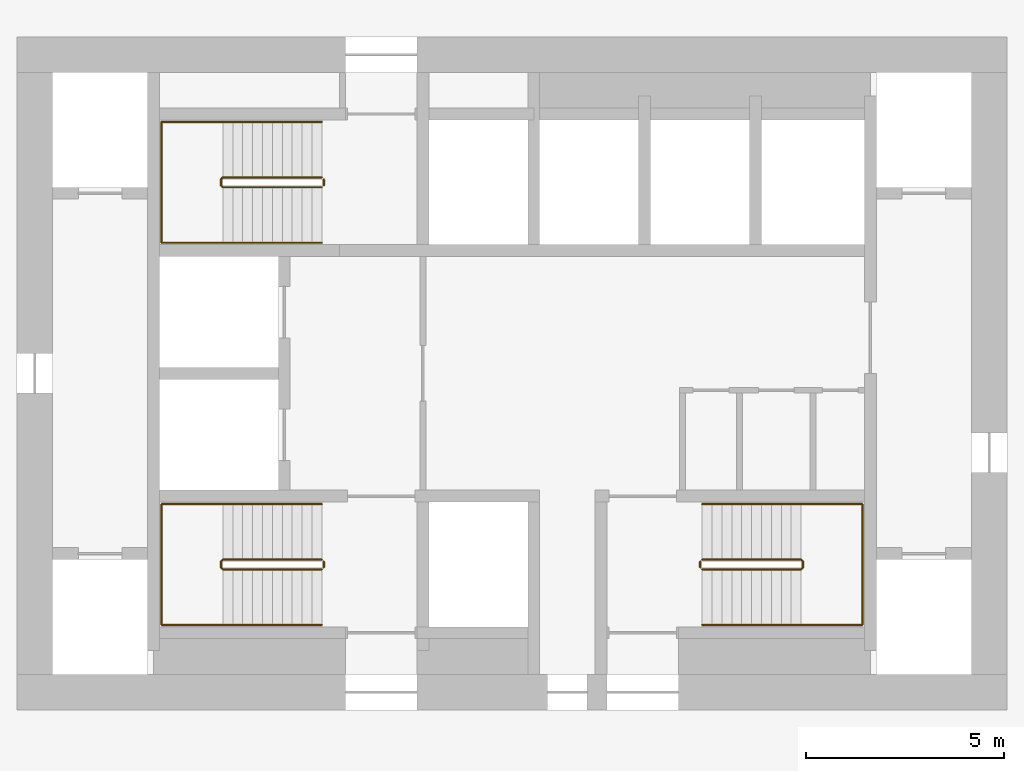
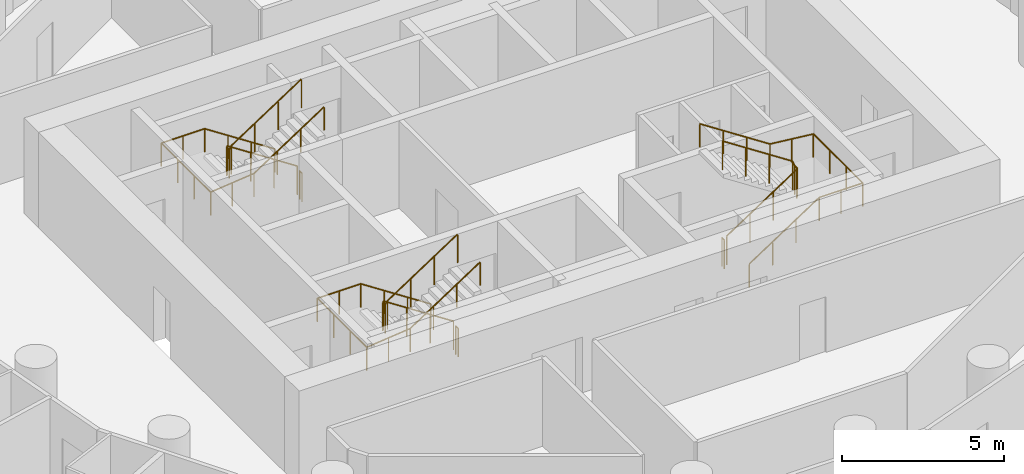
# One storey, part 9 of 9: 9 railings.
"""IFC4 building model written with IfcOpenShell, lengths in metres."""

from ifc_helpers import new_model, si_unit, direction, frame, origin, origin_2d, place, context, subcontext, project, spatial, circle, extrude, material, type_object, element, save


model = new_model("IFC4")

# Units and contexts
model_context = context("Model", 3, precision=1e-05, world=origin(), true_north=direction((0.0, 1.0)))
body_context = subcontext(model_context, "Body", "Model", "MODEL_VIEW")
ifc_project = project(units=[si_unit("LENGTHUNIT", "METRE"), si_unit("AREAUNIT", "SQUARE_METRE"), si_unit("VOLUMEUNIT", "CUBIC_METRE"), si_unit("PLANEANGLEUNIT", "RADIAN"), si_unit("MASSUNIT", "GRAM", prefix="KILO")], contexts=[model_context])

# Site, building, storey
site_placement = place(None, origin())
site = spatial("IfcSite", under=ifc_project, at=site_placement, CompositionType="ELEMENT")
building_placement = place(site_placement, origin())
building = spatial("IfcBuilding", under=site, at=building_placement, Name="Tracery Tower", CompositionType="ELEMENT")
storey_placement = place(building_placement, frame((0.0, 0.0, 198.0)))
storey = spatial("IfcBuildingStorey", under=building, at=storey_placement, Name="L51", CompositionType="ELEMENT", Elevation=198.0)

# Railings
ifc_material_1 = material(Name="Stainless steel and laminated glass", Category="steel")
railing_type_1 = type_object("IfcRailingType", Name="Stair guard 1100", PredefinedType="GUARDRAIL", material=ifc_material_1)
railing_1_placement = place(storey_placement, frame((-4.800048828125, -4.699951171875, 0.16357421875)))
element("IfcRailing", 1, at=railing_1_placement, inside=storey, type_object=railing_type_1, Name="L51 stair ST1 guard 1", PredefinedType="GUARDRAIL", context=body_context, shape_type="SweptSolid", body=[
    extrude(circle(Radius=0.02392578125, at=origin_2d()), frame((0.0, 0.0, 1.076171875), z_axis=(-0.83668449804, 0.0, 0.54768517484), x_axis=(0.0, -1.0, 0.0)), (0.0, 0.0, 1.0), 2.988037109375),
    extrude(circle(Radius=0.02392578125, at=origin_2d()), frame((-2.5, 0.0, 2.71240234375), z_axis=(-0.707106781187, -0.707106781187, 0.0), x_axis=(0.707106781187, -0.707106781187, 0.0)), (0.0, 0.0, 1.0), 0.07080078125),
    extrude(circle(Radius=0.02392578125, at=origin_2d()), frame((-2.550048828125, -0.050048828125, 2.71240234375), z_axis=(0.0, -1.0, 0.0), x_axis=(1.0, 0.0, 0.0)), (0.0, 0.0, 1.0), 0.14990234375),
    extrude(circle(Radius=0.02392578125, at=origin_2d()), frame((-2.550048828125, -0.199951171875, 2.71240234375), z_axis=(0.280808744504, -0.280808744504, 0.917765164963), x_axis=(0.707106781187, 0.707106781187, 0.0)), (0.0, 0.0, 1.0), 0.17822265625),
    extrude(circle(Radius=0.02392578125, at=origin_2d()), frame((-2.5, -0.25, 2.8759765625), z_axis=(0.83668449804, 0.0, 0.54768517484), x_axis=(0.0, 1.0, 0.0)), (0.0, 0.0, 1.0), 2.988037109375),
    extrude(circle(Radius=0.02099609375, at=origin_2d()), origin(), (0.0, 0.0, 1.0), 1.052001953125),
    extrude(circle(Radius=0.02099609375, at=origin_2d()), frame((-0.833251953125, 0.0, 0.54541015625)), (0.0, 0.0, 1.0), 1.052001953125),
    extrude(circle(Radius=0.02099609375, at=origin_2d()), frame((-1.666748046875, 0.0, 1.091064453125)), (0.0, 0.0, 1.0), 1.052001953125),
    extrude(circle(Radius=0.02099609375, at=origin_2d()), frame((-2.5, 0.0, 1.636474609375)), (0.0, 0.0, 1.0), 1.052001953125),
    extrude(circle(Radius=0.02099609375, at=origin_2d()), frame((-2.550048828125, -0.050048828125, 1.636474609375)), (0.0, 0.0, 1.0), 1.052001953125),
    extrude(circle(Radius=0.02099609375, at=origin_2d()), frame((-2.550048828125, -0.199951171875, 1.636474609375)), (0.0, 0.0, 1.0), 1.052001953125),
    extrude(circle(Radius=0.02099609375, at=origin_2d()), frame((-2.5, -0.25, 1.800048828125)), (0.0, 0.0, 1.0), 1.052001953125),
    extrude(circle(Radius=0.02099609375, at=origin_2d()), frame((-1.666748046875, -0.25, 2.345458984375)), (0.0, 0.0, 1.0), 1.052001953125),
    extrude(circle(Radius=0.02099609375, at=origin_2d()), frame((-0.833251953125, -0.25, 2.89111328125)), (0.0, 0.0, 1.0), 1.052001953125),
    extrude(circle(Radius=0.02099609375, at=origin_2d()), frame((0.0, -0.25, 3.4365234375)), (0.0, 0.0, 1.0), 1.052001953125),
])
railing_2_placement = place(storey_placement, frame((-4.75, -4.75, 0.0)))
element("IfcRailing", 2, at=railing_2_placement, inside=storey, type_object=railing_type_1, Name="L51 stair ST1 guard 2", PredefinedType="GUARDRAIL", context=body_context, shape_type="SweptSolid", body=[
    extrude(circle(Radius=0.02392578125, at=origin_2d()), frame((0.0, 0.0, 1.076171875), z_axis=(0.0, -1.0, 0.0), x_axis=(1.0, 0.0, 0.0)), (0.0, 0.0, 1.0), 0.14990234375),
    extrude(circle(Radius=0.02099609375, at=origin_2d()), origin(), (0.0, 0.0, 1.0), 1.052001953125),
    extrude(circle(Radius=0.02099609375, at=origin_2d()), frame((0.0, -0.14990234375, 0.0)), (0.0, 0.0, 1.0), 1.052001953125),
])
railing_3_placement = place(storey_placement, frame((-4.800048828125, 4.949951171875, 0.16357421875)))
element("IfcRailing", 3, at=railing_3_placement, inside=storey, type_object=railing_type_1, Name="L51 stair ST3 guard 1", PredefinedType="GUARDRAIL", context=body_context, shape_type="SweptSolid", body=[
    extrude(circle(Radius=0.02392578125, at=origin_2d()), frame((0.0, 0.0, 1.076171875), z_axis=(-0.83668449804, 0.0, 0.54768517484), x_axis=(0.0, -1.0, 0.0)), (0.0, 0.0, 1.0), 2.988037109375),
    extrude(circle(Radius=0.02392578125, at=origin_2d()), frame((-2.5, 0.0, 2.71240234375), z_axis=(-0.707106781187, -0.707106781187, 0.0), x_axis=(0.707106781187, -0.707106781187, 0.0)), (0.0, 0.0, 1.0), 0.07080078125),
    extrude(circle(Radius=0.02392578125, at=origin_2d()), frame((-2.550048828125, -0.050048828125, 2.71240234375), z_axis=(0.0, -1.0, 0.0), x_axis=(1.0, 0.0, 0.0)), (0.0, 0.0, 1.0), 0.14990234375),
    extrude(circle(Radius=0.02392578125, at=origin_2d()), frame((-2.550048828125, -0.199951171875, 2.71240234375), z_axis=(0.280808744504, -0.280808744504, 0.917765164963), x_axis=(0.707106781187, 0.707106781187, 0.0)), (0.0, 0.0, 1.0), 0.17822265625),
    extrude(circle(Radius=0.02392578125, at=origin_2d()), frame((-2.5, -0.25, 2.8759765625), z_axis=(0.83668449804, 0.0, 0.54768517484), x_axis=(0.0, 1.0, 0.0)), (0.0, 0.0, 1.0), 2.988037109375),
    extrude(circle(Radius=0.02099609375, at=origin_2d()), origin(), (0.0, 0.0, 1.0), 1.052001953125),
    extrude(circle(Radius=0.02099609375, at=origin_2d()), frame((-0.833251953125, 0.0, 0.54541015625)), (0.0, 0.0, 1.0), 1.052001953125),
    extrude(circle(Radius=0.02099609375, at=origin_2d()), frame((-1.666748046875, 0.0, 1.091064453125)), (0.0, 0.0, 1.0), 1.052001953125),
    extrude(circle(Radius=0.02099609375, at=origin_2d()), frame((-2.5, 0.0, 1.636474609375)), (0.0, 0.0, 1.0), 1.052001953125),
    extrude(circle(Radius=0.02099609375, at=origin_2d()), frame((-2.550048828125, -0.050048828125, 1.636474609375)), (0.0, 0.0, 1.0), 1.052001953125),
    extrude(circle(Radius=0.02099609375, at=origin_2d()), frame((-2.550048828125, -0.199951171875, 1.636474609375)), (0.0, 0.0, 1.0), 1.052001953125),
    extrude(circle(Radius=0.02099609375, at=origin_2d()), frame((-2.5, -0.25, 1.800048828125)), (0.0, 0.0, 1.0), 1.052001953125),
    extrude(circle(Radius=0.02099609375, at=origin_2d()), frame((-1.666748046875, -0.25, 2.345458984375)), (0.0, 0.0, 1.0), 1.052001953125),
    extrude(circle(Radius=0.02099609375, at=origin_2d()), frame((-0.833251953125, -0.25, 2.89111328125)), (0.0, 0.0, 1.0), 1.052001953125),
    extrude(circle(Radius=0.02099609375, at=origin_2d()), frame((0.0, -0.25, 3.4365234375)), (0.0, 0.0, 1.0), 1.052001953125),
])
railing_4_placement = place(storey_placement, frame((-4.75, 4.89990234375, 0.0)))
element("IfcRailing", 4, at=railing_4_placement, inside=storey, type_object=railing_type_1, Name="L51 stair ST3 guard 2", PredefinedType="GUARDRAIL", context=body_context, shape_type="SweptSolid", body=[
    extrude(circle(Radius=0.02392578125, at=origin_2d()), frame((0.0, 0.0, 1.076171875), z_axis=(0.0, -1.0, 0.0), x_axis=(1.0, 0.0, 0.0)), (0.0, 0.0, 1.0), 0.14990234375),
    extrude(circle(Radius=0.02099609375, at=origin_2d()), origin(), (0.0, 0.0, 1.0), 1.052001953125),
    extrude(circle(Radius=0.02099609375, at=origin_2d()), frame((0.0, -0.14990234375, 0.0)), (0.0, 0.0, 1.0), 1.052001953125),
])
railing_5_placement = place(storey_placement, frame((4.800048828125, -4.949951171875, 0.16357421875)))
element("IfcRailing", 5, at=railing_5_placement, inside=storey, type_object=railing_type_1, Name="L51 stair ST2 guard 1", PredefinedType="GUARDRAIL", context=body_context, shape_type="SweptSolid", body=[
    extrude(circle(Radius=0.02392578125, at=origin_2d()), frame((0.0, 0.0, 1.076171875), z_axis=(0.83668449804, 0.0, 0.54768517484), x_axis=(0.0, 1.0, 0.0)), (0.0, 0.0, 1.0), 2.988037109375),
    extrude(circle(Radius=0.02392578125, at=origin_2d()), frame((2.5, 0.0, 2.71240234375), z_axis=(0.707106781187, 0.707106781187, 0.0), x_axis=(-0.707106781187, 0.707106781187, 0.0)), (0.0, 0.0, 1.0), 0.07080078125),
    extrude(circle(Radius=0.02392578125, at=origin_2d()), frame((2.550048828125, 0.050048828125, 2.71240234375), z_axis=(0.0, 1.0, 0.0), x_axis=(-1.0, 0.0, 0.0)), (0.0, 0.0, 1.0), 0.14990234375),
    extrude(circle(Radius=0.02392578125, at=origin_2d()), frame((2.550048828125, 0.199951171875, 2.71240234375), z_axis=(-0.280808744504, 0.280808744504, 0.917765164963), x_axis=(-0.707106781187, -0.707106781187, 0.0)), (0.0, 0.0, 1.0), 0.17822265625),
    extrude(circle(Radius=0.02392578125, at=origin_2d()), frame((2.5, 0.25, 2.8759765625), z_axis=(-0.83668449804, 0.0, 0.54768517484), x_axis=(0.0, -1.0, 0.0)), (0.0, 0.0, 1.0), 2.988037109375),
    extrude(circle(Radius=0.02099609375, at=origin_2d()), origin(), (0.0, 0.0, 1.0), 1.052001953125),
    extrude(circle(Radius=0.02099609375, at=origin_2d()), frame((0.833251953125, 0.0, 0.54541015625)), (0.0, 0.0, 1.0), 1.052001953125),
    extrude(circle(Radius=0.02099609375, at=origin_2d()), frame((1.666748046875, 0.0, 1.091064453125)), (0.0, 0.0, 1.0), 1.052001953125),
    extrude(circle(Radius=0.02099609375, at=origin_2d()), frame((2.5, 0.0, 1.636474609375)), (0.0, 0.0, 1.0), 1.052001953125),
    extrude(circle(Radius=0.02099609375, at=origin_2d()), frame((2.550048828125, 0.050048828125, 1.636474609375)), (0.0, 0.0, 1.0), 1.052001953125),
    extrude(circle(Radius=0.02099609375, at=origin_2d()), frame((2.550048828125, 0.199951171875, 1.636474609375)), (0.0, 0.0, 1.0), 1.052001953125),
    extrude(circle(Radius=0.02099609375, at=origin_2d()), frame((2.5, 0.25, 1.800048828125)), (0.0, 0.0, 1.0), 1.052001953125),
    extrude(circle(Radius=0.02099609375, at=origin_2d()), frame((1.666748046875, 0.25, 2.345458984375)), (0.0, 0.0, 1.0), 1.052001953125),
    extrude(circle(Radius=0.02099609375, at=origin_2d()), frame((0.833251953125, 0.25, 2.89111328125)), (0.0, 0.0, 1.0), 1.052001953125),
    extrude(circle(Radius=0.02099609375, at=origin_2d()), frame((0.0, 0.25, 3.4365234375)), (0.0, 0.0, 1.0), 1.052001953125),
])
railing_6_placement = place(storey_placement, frame((4.75, -4.89990234375, 0.0)))
element("IfcRailing", 6, at=railing_6_placement, inside=storey, type_object=railing_type_1, Name="L51 stair ST2 guard 2", PredefinedType="GUARDRAIL", context=body_context, shape_type="SweptSolid", body=[
    extrude(circle(Radius=0.02392578125, at=origin_2d()), frame((0.0, 0.0, 1.076171875), z_axis=(0.0, 1.0, 0.0), x_axis=(-1.0, 0.0, 0.0)), (0.0, 0.0, 1.0), 0.14990234375),
    extrude(circle(Radius=0.02099609375, at=origin_2d()), origin(), (0.0, 0.0, 1.0), 1.052001953125),
    extrude(circle(Radius=0.02099609375, at=origin_2d()), frame((0.0, 0.14990234375, 0.0)), (0.0, 0.0, 1.0), 1.052001953125),
])
ifc_material_2 = material(Name="Stainless steel and laminated glass", Category="steel")
railing_type_2 = type_object("IfcRailingType", Name="Stair handrail 900", PredefinedType="HANDRAIL", material=ifc_material_2)
railing_7_placement = place(storey_placement, frame((-4.800048828125, -3.300048828125, 0.16357421875)))
element("IfcRailing", 7, at=railing_7_placement, inside=storey, type_object=railing_type_2, Name="L51 stair ST1 handrail 1", PredefinedType="HANDRAIL", context=body_context, shape_type="SweptSolid", body=[
    extrude(circle(Radius=0.02392578125, at=origin_2d()), frame((0.0, 0.0, 0.8759765625), z_axis=(-0.83668449804, 0.0, 0.54768517484), x_axis=(0.0, -1.0, 0.0)), (0.0, 0.0, 1.0), 2.988037109375),
    extrude(circle(Radius=0.02392578125, at=origin_2d()), frame((-2.5, 0.0, 2.51220703125), z_axis=(-1.0, 0.0, 0.0), x_axis=(0.0, -1.0, 0.0)), (0.0, 0.0, 1.0), 1.550048828125),
    extrude(circle(Radius=0.02392578125, at=origin_2d()), frame((-4.050048828125, 0.0, 2.51220703125), z_axis=(0.0, -1.0, 0.0), x_axis=(1.0, 0.0, 0.0)), (0.0, 0.0, 1.0), 3.050048828125),
    extrude(circle(Radius=0.02392578125, at=origin_2d()), frame((-4.050048828125, -3.050048828125, 2.51220703125), z_axis=(0.994477953863, 0.0, 0.104945696817), x_axis=(0.0, 1.0, 0.0)), (0.0, 0.0, 1.0), 1.55859375),
    extrude(circle(Radius=0.02392578125, at=origin_2d()), frame((-2.5, -3.050048828125, 2.67578125), z_axis=(0.83668449804, 0.0, 0.54768517484), x_axis=(0.0, 1.0, 0.0)), (0.0, 0.0, 1.0), 2.988037109375),
    extrude(circle(Radius=0.02099609375, at=origin_2d()), origin(), (0.0, 0.0, 1.0), 0.851806640625),
    extrude(circle(Radius=0.02099609375, at=origin_2d()), frame((-0.833251953125, 0.0, 0.54541015625)), (0.0, 0.0, 1.0), 0.851806640625),
    extrude(circle(Radius=0.02099609375, at=origin_2d()), frame((-1.666748046875, 0.0, 1.091064453125)), (0.0, 0.0, 1.0), 0.851806640625),
    extrude(circle(Radius=0.02099609375, at=origin_2d()), frame((-2.5, 0.0, 1.636474609375)), (0.0, 0.0, 1.0), 0.851806640625),
    extrude(circle(Radius=0.02099609375, at=origin_2d()), frame((-3.27490234375, 0.0, 1.636474609375)), (0.0, 0.0, 1.0), 0.851806640625),
    extrude(circle(Radius=0.02099609375, at=origin_2d()), frame((-4.050048828125, 0.0, 1.636474609375)), (0.0, 0.0, 1.0), 0.851806640625),
    extrude(circle(Radius=0.02099609375, at=origin_2d()), frame((-4.050048828125, -1.0166015625, 1.636474609375)), (0.0, 0.0, 1.0), 0.851806640625),
    extrude(circle(Radius=0.02099609375, at=origin_2d()), frame((-4.050048828125, -2.033447265625, 1.636474609375)), (0.0, 0.0, 1.0), 0.851806640625),
    extrude(circle(Radius=0.02099609375, at=origin_2d()), frame((-4.050048828125, -3.050048828125, 1.636474609375)), (0.0, 0.0, 1.0), 0.851806640625),
    extrude(circle(Radius=0.02099609375, at=origin_2d()), frame((-3.27490234375, -3.050048828125, 1.71826171875)), (0.0, 0.0, 1.0), 0.851806640625),
    extrude(circle(Radius=0.02099609375, at=origin_2d()), frame((-2.5, -3.050048828125, 1.800048828125)), (0.0, 0.0, 1.0), 0.851806640625),
    extrude(circle(Radius=0.02099609375, at=origin_2d()), frame((-1.666748046875, -3.050048828125, 2.345458984375)), (0.0, 0.0, 1.0), 0.851806640625),
    extrude(circle(Radius=0.02099609375, at=origin_2d()), frame((-0.833251953125, -3.050048828125, 2.89111328125)), (0.0, 0.0, 1.0), 0.851806640625),
    extrude(circle(Radius=0.02099609375, at=origin_2d()), frame((0.0, -3.050048828125, 3.4365234375)), (0.0, 0.0, 1.0), 0.851806640625),
])
railing_8_placement = place(storey_placement, frame((-4.800048828125, 6.35009765625, 0.16357421875)))
element("IfcRailing", 8, at=railing_8_placement, inside=storey, type_object=railing_type_2, Name="L51 stair ST3 handrail 1", PredefinedType="HANDRAIL", context=body_context, shape_type="SweptSolid", body=[
    extrude(circle(Radius=0.02392578125, at=origin_2d()), frame((0.0, 0.0, 0.8759765625), z_axis=(-0.83668449804, 0.0, 0.54768517484), x_axis=(0.0, -1.0, 0.0)), (0.0, 0.0, 1.0), 2.988037109375),
    extrude(circle(Radius=0.02392578125, at=origin_2d()), frame((-2.5, 0.0, 2.51220703125), z_axis=(-1.0, 0.0, 0.0), x_axis=(0.0, -1.0, 0.0)), (0.0, 0.0, 1.0), 1.550048828125),
    extrude(circle(Radius=0.02392578125, at=origin_2d()), frame((-4.050048828125, 0.0, 2.51220703125), z_axis=(0.0, -1.0, 0.0), x_axis=(1.0, 0.0, 0.0)), (0.0, 0.0, 1.0), 3.050048828125),
    extrude(circle(Radius=0.02392578125, at=origin_2d()), frame((-4.050048828125, -3.050048828125, 2.51220703125), z_axis=(0.994477953863, 0.0, 0.104945696817), x_axis=(0.0, 1.0, 0.0)), (0.0, 0.0, 1.0), 1.55859375),
    extrude(circle(Radius=0.02392578125, at=origin_2d()), frame((-2.5, -3.050048828125, 2.67578125), z_axis=(0.83668449804, 0.0, 0.54768517484), x_axis=(0.0, 1.0, 0.0)), (0.0, 0.0, 1.0), 2.988037109375),
    extrude(circle(Radius=0.02099609375, at=origin_2d()), origin(), (0.0, 0.0, 1.0), 0.851806640625),
    extrude(circle(Radius=0.02099609375, at=origin_2d()), frame((-0.833251953125, 0.0, 0.54541015625)), (0.0, 0.0, 1.0), 0.851806640625),
    extrude(circle(Radius=0.02099609375, at=origin_2d()), frame((-1.666748046875, 0.0, 1.091064453125)), (0.0, 0.0, 1.0), 0.851806640625),
    extrude(circle(Radius=0.02099609375, at=origin_2d()), frame((-2.5, 0.0, 1.636474609375)), (0.0, 0.0, 1.0), 0.851806640625),
    extrude(circle(Radius=0.02099609375, at=origin_2d()), frame((-3.27490234375, 0.0, 1.636474609375)), (0.0, 0.0, 1.0), 0.851806640625),
    extrude(circle(Radius=0.02099609375, at=origin_2d()), frame((-4.050048828125, 0.0, 1.636474609375)), (0.0, 0.0, 1.0), 0.851806640625),
    extrude(circle(Radius=0.02099609375, at=origin_2d()), frame((-4.050048828125, -1.0166015625, 1.636474609375)), (0.0, 0.0, 1.0), 0.851806640625),
    extrude(circle(Radius=0.02099609375, at=origin_2d()), frame((-4.050048828125, -2.033447265625, 1.636474609375)), (0.0, 0.0, 1.0), 0.851806640625),
    extrude(circle(Radius=0.02099609375, at=origin_2d()), frame((-4.050048828125, -3.050048828125, 1.636474609375)), (0.0, 0.0, 1.0), 0.851806640625),
    extrude(circle(Radius=0.02099609375, at=origin_2d()), frame((-3.27490234375, -3.050048828125, 1.71826171875)), (0.0, 0.0, 1.0), 0.851806640625),
    extrude(circle(Radius=0.02099609375, at=origin_2d()), frame((-2.5, -3.050048828125, 1.800048828125)), (0.0, 0.0, 1.0), 0.851806640625),
    extrude(circle(Radius=0.02099609375, at=origin_2d()), frame((-1.666748046875, -3.050048828125, 2.345458984375)), (0.0, 0.0, 1.0), 0.851806640625),
    extrude(circle(Radius=0.02099609375, at=origin_2d()), frame((-0.833251953125, -3.050048828125, 2.89111328125)), (0.0, 0.0, 1.0), 0.851806640625),
    extrude(circle(Radius=0.02099609375, at=origin_2d()), frame((0.0, -3.050048828125, 3.4365234375)), (0.0, 0.0, 1.0), 0.851806640625),
])
railing_9_placement = place(storey_placement, frame((4.800048828125, -6.35009765625, 0.16357421875)))
element("IfcRailing", 9, at=railing_9_placement, inside=storey, type_object=railing_type_2, Name="L51 stair ST2 handrail 1", PredefinedType="HANDRAIL", context=body_context, shape_type="SweptSolid", body=[
    extrude(circle(Radius=0.02392578125, at=origin_2d()), frame((0.0, 0.0, 0.8759765625), z_axis=(0.83668449804, 0.0, 0.54768517484), x_axis=(0.0, 1.0, 0.0)), (0.0, 0.0, 1.0), 2.988037109375),
    extrude(circle(Radius=0.02392578125, at=origin_2d()), frame((2.5, 0.0, 2.51220703125), z_axis=(1.0, 0.0, 0.0), x_axis=(0.0, 1.0, 0.0)), (0.0, 0.0, 1.0), 1.550048828125),
    extrude(circle(Radius=0.02392578125, at=origin_2d()), frame((4.050048828125, 0.0, 2.51220703125), z_axis=(0.0, 1.0, 0.0), x_axis=(-1.0, 0.0, 0.0)), (0.0, 0.0, 1.0), 3.050048828125),
    extrude(circle(Radius=0.02392578125, at=origin_2d()), frame((4.050048828125, 3.050048828125, 2.51220703125), z_axis=(-0.994477953863, 0.0, 0.104945696817), x_axis=(0.0, -1.0, 0.0)), (0.0, 0.0, 1.0), 1.55859375),
    extrude(circle(Radius=0.02392578125, at=origin_2d()), frame((2.5, 3.050048828125, 2.67578125), z_axis=(-0.83668449804, 0.0, 0.54768517484), x_axis=(0.0, -1.0, 0.0)), (0.0, 0.0, 1.0), 2.988037109375),
    extrude(circle(Radius=0.02099609375, at=origin_2d()), origin(), (0.0, 0.0, 1.0), 0.851806640625),
    extrude(circle(Radius=0.02099609375, at=origin_2d()), frame((0.833251953125, 0.0, 0.54541015625)), (0.0, 0.0, 1.0), 0.851806640625),
    extrude(circle(Radius=0.02099609375, at=origin_2d()), frame((1.666748046875, 0.0, 1.091064453125)), (0.0, 0.0, 1.0), 0.851806640625),
    extrude(circle(Radius=0.02099609375, at=origin_2d()), frame((2.5, 0.0, 1.636474609375)), (0.0, 0.0, 1.0), 0.851806640625),
    extrude(circle(Radius=0.02099609375, at=origin_2d()), frame((3.27490234375, 0.0, 1.636474609375)), (0.0, 0.0, 1.0), 0.851806640625),
    extrude(circle(Radius=0.02099609375, at=origin_2d()), frame((4.050048828125, 0.0, 1.636474609375)), (0.0, 0.0, 1.0), 0.851806640625),
    extrude(circle(Radius=0.02099609375, at=origin_2d()), frame((4.050048828125, 1.0166015625, 1.636474609375)), (0.0, 0.0, 1.0), 0.851806640625),
    extrude(circle(Radius=0.02099609375, at=origin_2d()), frame((4.050048828125, 2.033447265625, 1.636474609375)), (0.0, 0.0, 1.0), 0.851806640625),
    extrude(circle(Radius=0.02099609375, at=origin_2d()), frame((4.050048828125, 3.050048828125, 1.636474609375)), (0.0, 0.0, 1.0), 0.851806640625),
    extrude(circle(Radius=0.02099609375, at=origin_2d()), frame((3.27490234375, 3.050048828125, 1.71826171875)), (0.0, 0.0, 1.0), 0.851806640625),
    extrude(circle(Radius=0.02099609375, at=origin_2d()), frame((2.5, 3.050048828125, 1.800048828125)), (0.0, 0.0, 1.0), 0.851806640625),
    extrude(circle(Radius=0.02099609375, at=origin_2d()), frame((1.666748046875, 3.050048828125, 2.345458984375)), (0.0, 0.0, 1.0), 0.851806640625),
    extrude(circle(Radius=0.02099609375, at=origin_2d()), frame((0.833251953125, 3.050048828125, 2.89111328125)), (0.0, 0.0, 1.0), 0.851806640625),
    extrude(circle(Radius=0.02099609375, at=origin_2d()), frame((0.0, 3.050048828125, 3.4365234375)), (0.0, 0.0, 1.0), 0.851806640625),
])

save(model, "model.ifc")
